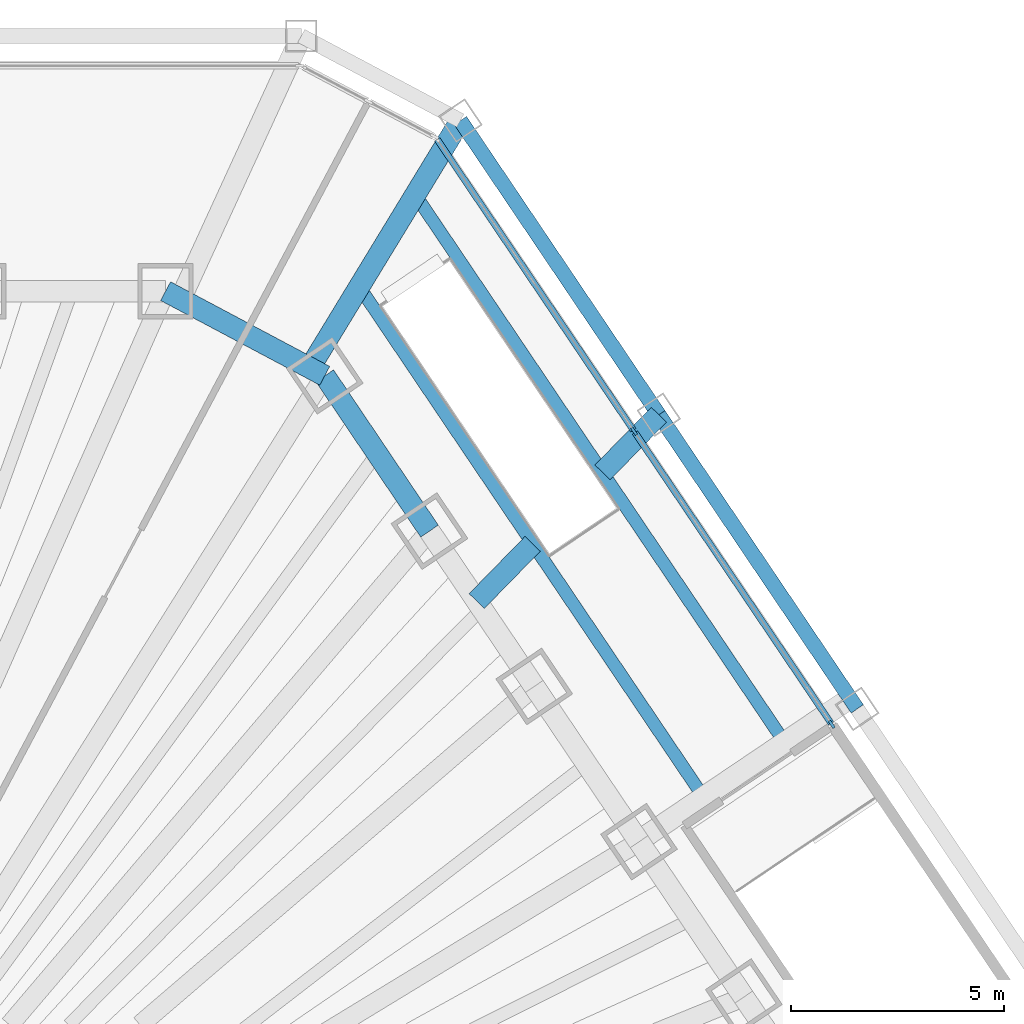
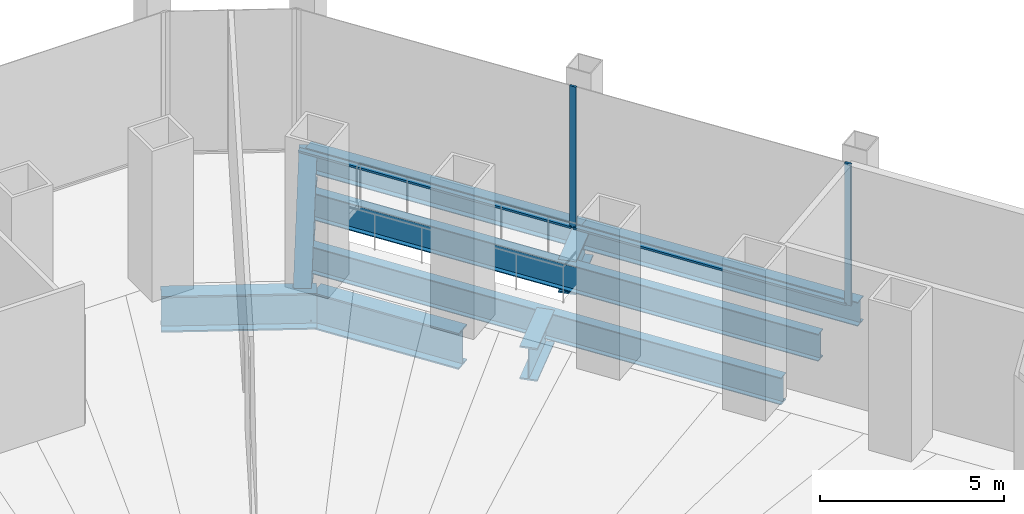
# One storey, part 8 of 18: 9 beams, 4 members, 1 element without a shape of its own.
"""IFC4 building model written with IfcOpenShell, lengths in metres."""

from ifc_helpers import new_model, si_unit, direction, frame, origin, origin_2d, place, context, subcontext, project, spatial, rectangle, i_section, extrude, material, material_profile, profile_set, type_object, element, aggregate, save


model = new_model("IFC4")

# Units and contexts
model_context = context("Model", 3, precision=1e-05, world=origin(), true_north=direction((0.0, 1.0)))
body_context = subcontext(model_context, "Body", "Model", "MODEL_VIEW")
ifc_project = project(units=[si_unit("LENGTHUNIT", "METRE"), si_unit("AREAUNIT", "SQUARE_METRE"), si_unit("VOLUMEUNIT", "CUBIC_METRE"), si_unit("PLANEANGLEUNIT", "RADIAN"), si_unit("MASSUNIT", "GRAM", prefix="KILO")], contexts=[model_context])

# Site, building, storey
site_placement = place(None, origin())
site = spatial("IfcSite", under=ifc_project, at=site_placement, CompositionType="ELEMENT")
building_placement = place(site_placement, origin())
building = spatial("IfcBuilding", under=site, at=building_placement, Name="Qingtian Harvest Tower", CompositionType="ELEMENT")
storey_placement = place(building_placement, frame((0.0, 0.0, 12.0)))
storey = spatial("IfcBuildingStorey", under=building, at=storey_placement, Name="L02", CompositionType="ELEMENT", Elevation=12.0)

# Beams
ifc_material_1 = material(Name="Steel SM570MC", Category="steel")
ifc_material_profile_1 = material_profile(ifc_material_1, i_section(OverallWidth=0.5, OverallDepth=1.10009765625, WebThickness=0.02490234375, FlangeThickness=0.050048828125, at=origin_2d()), Name="H1100x500x25x50")
ifc_profile_set_1 = profile_set([ifc_material_profile_1], Name="Steel SM570MC")
beam_type_1 = type_object("IfcBeamType", Name="Floor beam FB6 H1100x500x25x50", PredefinedType="BEAM", material=ifc_profile_set_1)
beam_1_placement = place(storey_placement, frame((18.888427734375, 31.01025390625, -0.800048828125), z_axis=(-0.52020179562, -0.854043378192, 0.0), x_axis=(0.854043378192, -0.52020179562, 0.0)))
element("IfcBeam", 1, at=beam_1_placement, inside=storey, type_object=beam_type_1, Name="Podium floor beam FB6 NE0", PredefinedType="BEAM", context=body_context, shape_type="SweptSolid", body=[
    extrude(i_section(OverallWidth=0.5, OverallDepth=1.10009765625, WebThickness=0.02490234375, FlangeThickness=0.050048828125, at=origin_2d()), origin(), (0.0, 0.0, 1.0), 6.806884765625),
])
beam_2_placement = place(storey_placement, frame((23.55322265625, 24.0947265625, -0.800048828125), z_axis=(-0.699010803624, -0.715111107743, 0.0), x_axis=(0.715111107743, -0.699010803624, 0.0)))
element("IfcBeam", 2, at=beam_2_placement, inside=storey, type_object=beam_type_1, Name="Podium floor beam FB6 NE1", PredefinedType="BEAM", context=body_context, shape_type="SweptSolid", body=[
    extrude(i_section(OverallWidth=0.5, OverallDepth=1.10009765625, WebThickness=0.02490234375, FlangeThickness=0.050048828125, at=origin_2d()), origin(), (0.0, 0.0, 1.0), 1.8955078125),
])
beam_3_placement = place(storey_placement, frame((20.586669921875, 21.059814453125, -0.800048828125), z_axis=(-0.699085214289, -0.715038364819, 0.0), x_axis=(0.715038364819, -0.699085214289, 0.0)))
element("IfcBeam", 3, at=beam_3_placement, inside=storey, type_object=beam_type_1, Name="Podium floor beam FB6 NE1 (beyond opening)", PredefinedType="BEAM", context=body_context, shape_type="SweptSolid", body=[
    extrude(i_section(OverallWidth=0.5, OverallDepth=1.10009765625, WebThickness=0.02490234375, FlangeThickness=0.050048828125, at=origin_2d()), origin(), (0.0, 0.0, 1.0), 1.88232421875),
])

# Curtain wall, members
ifc_material_2 = material(Name="Bronze-anodised aluminium curtain wall", Category="aluminium")
curtain_wall_type = type_object("IfcCurtainWallType", Name="Curtain wall CW1 podium shopfront", PredefinedType="USERDEFINED", material=ifc_material_2)
curtain_wall_placement = place(storey_placement, origin())
curtain_wall = element("IfcCurtainWall", 4, at=curtain_wall_placement, inside=storey, type_object=curtain_wall_type, Name="Curtain wall CW1 L02 NE0-1", ObjectType="RECESSED CURTAIN WALL", PredefinedType="USERDEFINED")
ifc_material_3 = material(Name="Bronze-anodised aluminium mullion", Category="aluminium")
ifc_material_profile_2 = material_profile(ifc_material_3, rectangle(XDim=0.06494140625, YDim=0.199951171875, at=origin_2d()), Name="AL 65x200")
ifc_profile_set_2 = profile_set([ifc_material_profile_2], Name="Bronze-anodised aluminium mullion")
member_type_1 = type_object("IfcMemberType", Name="Mullion CWM 65x200", PredefinedType="MULLION", material=ifc_profile_set_2)
member_1_placement = place(storey_placement, frame((22.972900390625, 23.703125, 0.0), z_axis=(0.0, 0.0, 1.0), x_axis=(0.829037572555, 0.559192903471, 0.0)))
member_1 = element("IfcMember", 5, at=member_1_placement, type_object=member_type_1, Name="CW1 mullion 2", PredefinedType="MULLION", context=body_context, shape_type="SweptSolid", body=[
    extrude(rectangle(XDim=0.06494140625, YDim=0.199951171875, at=origin_2d()), origin(), (0.0, 0.0, 1.0), 4.699951171875),
])
member_2_placement = place(storey_placement, frame((27.619384765625, 16.814453125, 0.0), z_axis=(0.0, 0.0, 1.0), x_axis=(0.829037572555, 0.559192903471, 0.0)))
member_2 = element("IfcMember", 6, at=member_2_placement, type_object=member_type_1, Name="CW1 mullion 3", PredefinedType="MULLION", context=body_context, shape_type="SweptSolid", body=[
    extrude(rectangle(XDim=0.06494140625, YDim=0.199951171875, at=origin_2d()), origin(), (0.0, 0.0, 1.0), 4.699951171875),
])

# Beams
ifc_material_4 = material(Name="Steel SN490B", Category="steel")
ifc_material_profile_3 = material_profile(ifc_material_4, i_section(OverallWidth=0.35009765625, OverallDepth=0.800048828125, WebThickness=0.01611328125, FlangeThickness=0.028076171875, at=origin_2d()), Name="H800x350x16x28")
ifc_profile_set_3 = profile_set([ifc_material_profile_3], Name="Steel SN490B")
beam_type_2 = type_object("IfcBeamType", Name="Podium beam PB1 H800x350x16x28", PredefinedType="BEAM", material=ifc_profile_set_3)
for number, where, z_axis, x_axis, name in (
    (7, (18.888427734375, 31.01025390625, -0.64990234375), (0.559210439086, -0.829025744363, 0.0), (0.829025744363, 0.559210439086, 0.0), "Podium edge beam PB1 NE0"),
    (8, (23.55322265625, 24.0947265625, -0.64990234375), (0.559176755628, -0.829048464183, 0.0), (0.829048464183, 0.559176755628, 0.0), "Podium edge beam PB1 NE1"),
):
    element("IfcBeam", number, at=place(storey_placement, frame(where, z_axis=z_axis, x_axis=x_axis)), inside=storey, type_object=beam_type_2, Name=name, PredefinedType="BEAM", context=body_context, shape_type="SweptSolid", body=[
        extrude(i_section(OverallWidth=0.35009765625, OverallDepth=0.800048828125, WebThickness=0.01611328125, FlangeThickness=0.028076171875, at=origin_2d()), origin(), (0.0, 0.0, 1.0), 8.341796875),
    ])
ifc_material_5 = material(Name="Steel SM570MC", Category="steel")
ifc_material_profile_4 = material_profile(ifc_material_5, i_section(OverallWidth=0.5, OverallDepth=1.199951171875, WebThickness=0.02490234375, FlangeThickness=0.050048828125, at=origin_2d()), Name="H1200x500x25x50")
ifc_profile_set_4 = profile_set([ifc_material_profile_4], Name="Steel SM570MC")
beam_type_3 = type_object("IfcBeamType", Name="Spandrel beam SB1 H1200x500x25x50", PredefinedType="SPANDREL", material=ifc_profile_set_4)
beam_4_placement = place(storey_placement, frame((11.9560546875, 27.0, -0.85009765625), z_axis=(0.882948599748, -0.469469669099, 0.0), x_axis=(0.469469669099, 0.882948599748, 0.0)))
element("IfcBeam", 9, at=beam_4_placement, inside=storey, type_object=beam_type_3, Name="Spandrel SB1 NC", PredefinedType="SPANDREL", context=body_context, shape_type="SweptSolid", body=[
    extrude(i_section(OverallWidth=0.5, OverallDepth=1.199951171875, WebThickness=0.02490234375, FlangeThickness=0.050048828125, at=origin_2d()), origin(), (0.0, 0.0, 1.0), 4.23828125),
])
beam_5_placement = place(storey_placement, frame((15.6982421875, 25.01025390625, -0.85009765625), z_axis=(0.559169135272, -0.829053603912, 0.0), x_axis=(0.829053603912, 0.559169135272, 0.0)))
element("IfcBeam", 10, at=beam_5_placement, inside=storey, type_object=beam_type_3, Name="Spandrel SB1 NE0", PredefinedType="SPANDREL", context=body_context, shape_type="SweptSolid", body=[
    extrude(i_section(OverallWidth=0.5, OverallDepth=1.199951171875, WebThickness=0.02490234375, FlangeThickness=0.050048828125, at=origin_2d()), origin(), (0.0, 0.0, 1.0), 4.404541015625),
])

# Member
ifc_material_6 = material(Name="Bronze-anodised aluminium transom", Category="aluminium")
ifc_material_profile_5 = material_profile(ifc_material_6, rectangle(XDim=0.14990234375, YDim=0.06494140625, at=origin_2d()), Name="AL 65x150")
ifc_profile_set_5 = profile_set([ifc_material_profile_5], Name="Bronze-anodised aluminium transom")
member_type_2 = type_object("IfcMemberType", Name="Transom CWT 65x150", PredefinedType="USERDEFINED", material=ifc_profile_set_5)
member_3_placement = place(storey_placement, frame((18.344482421875, 30.56494140625, 0.032470703125), z_axis=(0.559195632295, -0.829035731933, 0.0), x_axis=(0.829035731933, 0.559195632295, 0.0)))
member_3 = element("IfcMember", 11, at=member_3_placement, type_object=member_type_2, Name="CW1 transom 1.1", ObjectType="TRANSOM", PredefinedType="USERDEFINED", context=body_context, shape_type="SweptSolid", body=[
    extrude(rectangle(XDim=0.14990234375, YDim=0.06494140625, at=origin_2d()), origin(), (0.0, 0.0, 1.0), 8.244140625),
])

member_4_placement = place(storey_placement, frame((22.990966796875, 23.67626953125, 0.032470703125), z_axis=(0.559195632295, -0.829035731933, 0.0), x_axis=(0.829035731933, 0.559195632295, 0.0)))
member_4 = element("IfcMember", 12, at=member_4_placement, type_object=member_type_2, Name="CW1 transom 2.1", ObjectType="TRANSOM", PredefinedType="USERDEFINED", context=body_context, shape_type="SweptSolid", body=[
    extrude(rectangle(XDim=0.14990234375, YDim=0.06494140625, at=origin_2d()), origin(), (0.0, 0.0, 1.0), 8.244140625),
])

aggregate(curtain_wall, [member_1, member_2, member_3, member_4])

# Beams
ifc_material_7 = material(Name="Steel SN490B", Category="steel")
ifc_material_profile_6 = material_profile(ifc_material_7, i_section(OverallWidth=0.300048828125, OverallDepth=0.89990234375, WebThickness=0.01611328125, FlangeThickness=0.028076171875, at=origin_2d()), Name="H900x300x16x28")
ifc_profile_set_6 = profile_set([ifc_material_profile_6], Name="Steel SN490B")
beam_type_4 = type_object("IfcBeamType", Name="Trimmer beam TB1 H900x300x16x28", PredefinedType="BEAM", material=ifc_profile_set_6)
beam_6_placement = place(storey_placement, frame((26.510986328125, 16.3896484375, -0.699951171875), z_axis=(-0.559190162695, 0.829039421225, 0.0), x_axis=(-0.829039421225, -0.559190162695, 0.0)))
element("IfcBeam", 13, at=beam_6_placement, inside=storey, type_object=beam_type_4, Name="Trimmer beam TB1 FS3 1", PredefinedType="BEAM", context=body_context, shape_type="SweptSolid", body=[
    extrude(i_section(OverallWidth=0.300048828125, OverallDepth=0.89990234375, WebThickness=0.01611328125, FlangeThickness=0.028076171875, at=origin_2d()), origin(), (0.0, 0.0, 1.0), 15.531494140625),
])
beam_7_placement = place(storey_placement, frame((24.604248046875, 15.103515625, -0.699951171875), z_axis=(-0.559191273053, 0.829038672283, 0.0), x_axis=(-0.829038672283, -0.559191273053, 0.0)))
element("IfcBeam", 14, at=beam_7_placement, inside=storey, type_object=beam_type_4, Name="Trimmer beam TB1 FS3 2", PredefinedType="BEAM", context=body_context, shape_type="SweptSolid", body=[
    extrude(i_section(OverallWidth=0.300048828125, OverallDepth=0.89990234375, WebThickness=0.01611328125, FlangeThickness=0.028076171875, at=origin_2d()), origin(), (0.0, 0.0, 1.0), 14.475830078125),
])

save(model, "model.ifc")
